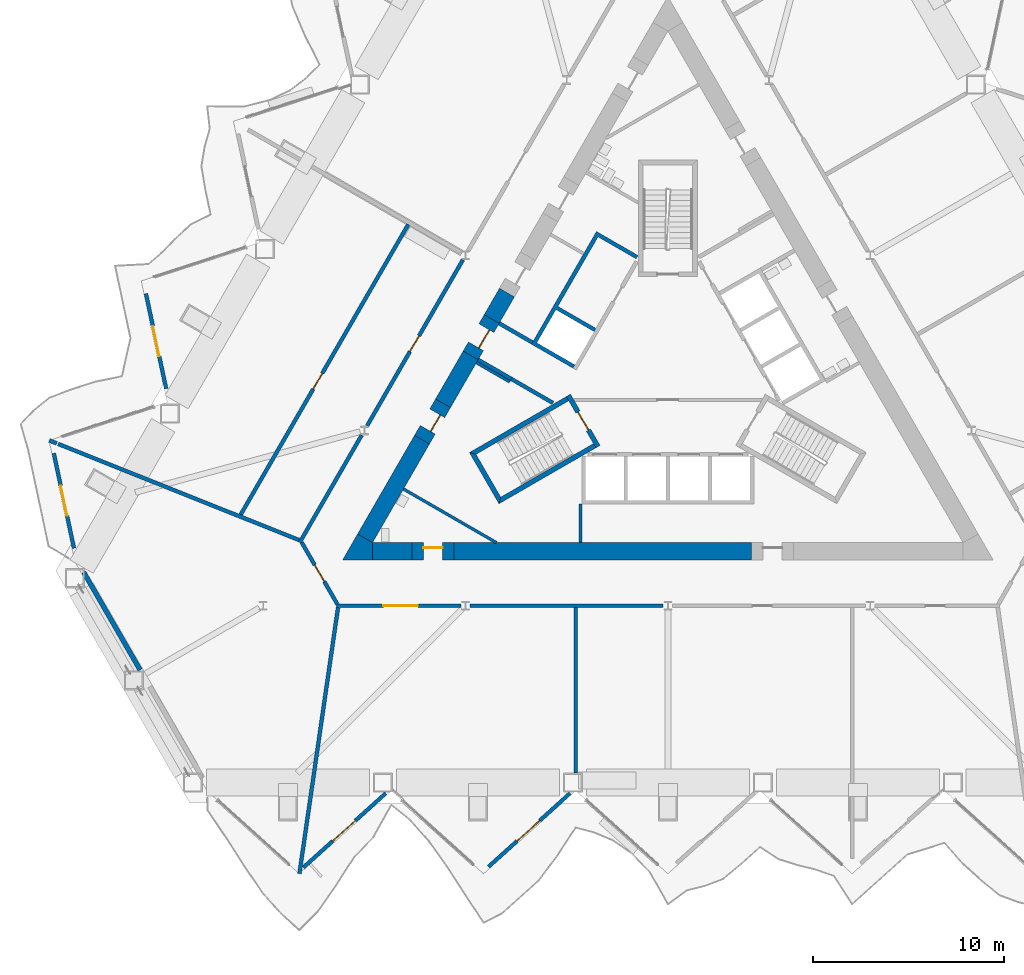
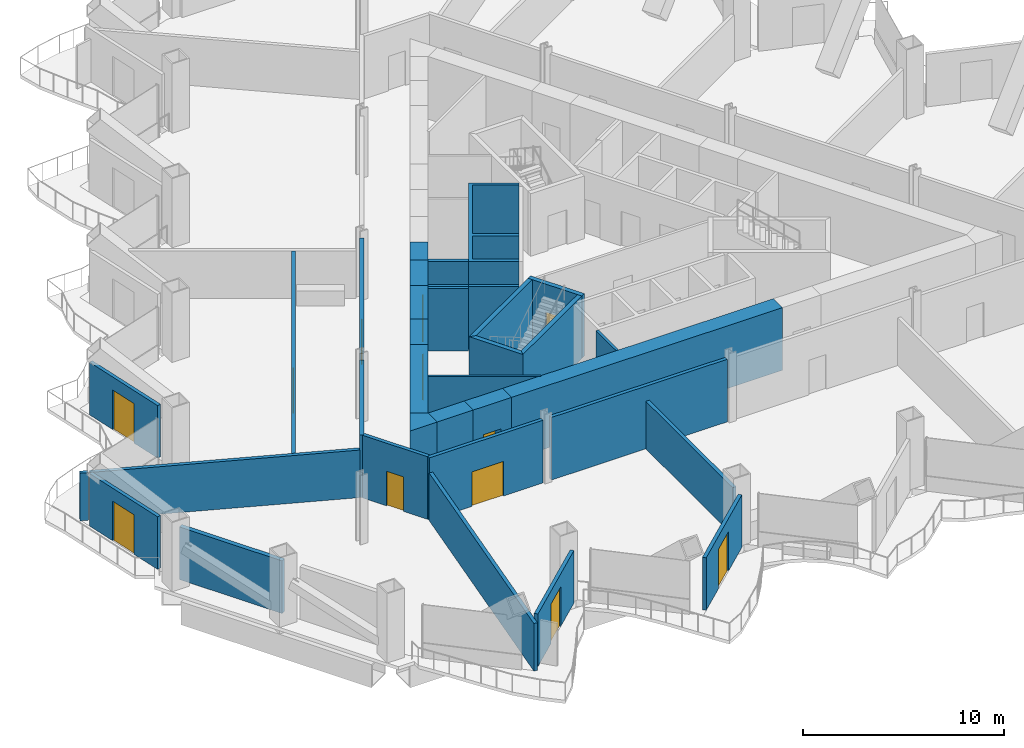
# One storey, part 9 of 22: 35 walls, 12 doors, 12 openings.
"""IFC4 building model written with IfcOpenShell, lengths in metres."""

from ifc_helpers import new_model, si_unit, direction, frame, frame_2d, origin, place, context, subcontext, project, spatial, polyline, rectangle, outline, extrude, material, layer, layer_set, type_object, element, fill, save


model = new_model("IFC4")

# Units and contexts
model_context = context("Model", 3, precision=1e-05, world=origin(), true_north=direction((0.0, 1.0)))
body_context = subcontext(model_context, "Body", "Model", "MODEL_VIEW")
ifc_project = project(units=[si_unit("LENGTHUNIT", "METRE"), si_unit("AREAUNIT", "SQUARE_METRE"), si_unit("VOLUMEUNIT", "CUBIC_METRE"), si_unit("PLANEANGLEUNIT", "RADIAN"), si_unit("MASSUNIT", "GRAM", prefix="KILO")], contexts=[model_context])

# Site, building, storey
site_placement = place(None, origin())
site = spatial("IfcSite", under=ifc_project, at=site_placement, CompositionType="ELEMENT")
building_placement = place(site_placement, origin())
building = spatial("IfcBuilding", under=site, at=building_placement, Name="Cormorant Prow Tower", CompositionType="ELEMENT")
storey_placement = place(building_placement, frame((0.0, 0.0, 30.0)))
storey = spatial("IfcBuildingStorey", under=building, at=storey_placement, Name="L05", CompositionType="ELEMENT", Elevation=30.0)

# Walls
ifc_material_1 = material(Name="Gypsum board partition")
ifc_layer_1 = layer(ifc_material_1, 0.14990234375)
ifc_layer_set_1 = layer_set([ifc_layer_1], Name="Gypsum board partition")
wall_type_1 = type_object("IfcWallType", Name="Core partition 150", PredefinedType="PARTITIONING", material=ifc_layer_set_1)
wall_1_placement = place(storey_placement, frame((-8.268310546875, -0.509033203125, 0.0), z_axis=(0.0, 0.0, 1.0), x_axis=(-0.866035824272, 0.499981950752, 0.0)))
element("IfcWall", 1, at=wall_1_placement, inside=storey, type_object=wall_type_1, Name="Service room partition", PredefinedType="PARTITIONING", context=body_context, shape_type="SweptSolid", body=[
    extrude(rectangle(XDim=2.0087890625, YDim=0.14990234375, at=frame_2d((1.00439453125, 0.0))), origin(), (0.0, 0.0, 1.0), 3.800048828125),
])
wall_2_placement = place(storey_placement, frame((-4.574951171875, -6.906005859375, 0.0), z_axis=(0.0, 0.0, 1.0), x_axis=(0.0, -1.0, 0.0)))
element("IfcWall", 2, at=wall_2_placement, inside=storey, type_object=wall_type_1, Name="Service room partition", PredefinedType="PARTITIONING", context=body_context, shape_type="SweptSolid", body=[
    extrude(rectangle(XDim=2.009033203125, YDim=0.14990234375, at=frame_2d((1.00439453125, 0.0))), origin(), (0.0, 0.0, 1.0), 3.800048828125),
])
wall_3_placement = place(storey_placement, frame((-13.822509765625, -6.111328125, 0.0), z_axis=(0.0, 0.0, 1.0), x_axis=(0.866026802741, -0.499997576928, 0.0)))
element("IfcWall", 3, at=wall_3_placement, inside=storey, type_object=wall_type_1, Name="Service room partition", PredefinedType="PARTITIONING", context=body_context, shape_type="SweptSolid", body=[
    extrude(rectangle(XDim=5.607421875, YDim=0.14990234375, at=frame_2d((2.8037109375, 0.0))), origin(), (0.0, 0.0, 1.0), 3.800048828125),
])
ifc_material_2 = material(Name="Concrete 8000 psi", Category="concrete")
ifc_layer_2 = layer(ifc_material_2, 0.89990234375)
ifc_layer_set_2 = layer_set([ifc_layer_2], Name="Concrete 8000 psi")
wall_type_2 = type_object("IfcWallType", Name="Core shear wall 900", PredefinedType="SHEAR", material=ifc_layer_set_2)
wall_4_placement = place(storey_placement, frame((-11.178955078125, -9.364990234375, 0.0), z_axis=(0.0, 0.0, 1.0), x_axis=(1.0, 0.0, 0.0)))
element("IfcWall", 4, at=wall_4_placement, inside=storey, type_object=wall_type_2, Name="Core wall", PredefinedType="SHEAR", context=body_context, shape_type="SweptSolid", body=[
    extrude(rectangle(XDim=15.549560546875, YDim=0.89990234375, at=frame_2d((7.77490234375, 0.0))), origin(), (0.0, 0.0, 1.0), 3.800048828125),
])
wall_5_placement = place(storey_placement, frame((-15.441162109375, -9.364990234375, 0.0), z_axis=(0.0, 0.0, 1.0), x_axis=(1.0, 0.0, 0.0)))
element("IfcWall", 5, at=wall_5_placement, inside=storey, type_object=wall_type_2, Name="Core wall", PredefinedType="SHEAR", context=body_context, shape_type="SweptSolid", body=[
    extrude(rectangle(XDim=2.062255859375, YDim=0.89990234375, at=frame_2d((1.03125, 0.0))), origin(), (0.0, 0.0, 1.0), 3.800048828125),
])
wall_6_placement = place(storey_placement, frame((-12.85498046875, -3.53564453125, 0.0), z_axis=(0.0, 0.0, 1.0), x_axis=(-0.499999419053, -0.866025739194, 0.0)))
element("IfcWall", 6, at=wall_6_placement, inside=storey, type_object=wall_type_2, Name="Core wall", PredefinedType="SHEAR", context=body_context, shape_type="SweptSolid", body=[
    extrude(rectangle(XDim=5.95166015625, YDim=0.89990234375, at=frame_2d((2.975830078125, 0.0))), origin(), (0.0, 0.0, 1.0), 3.800048828125),
])
wall_7_placement = place(storey_placement, frame((-10.310302734375, 0.8720703125, 0.0), z_axis=(0.0, 0.0, 1.0), x_axis=(-0.499946751862, -0.866056144429, 0.0)))
element("IfcWall", 7, at=wall_7_placement, inside=storey, type_object=wall_type_2, Name="Core wall", PredefinedType="SHEAR", context=body_context, shape_type="SweptSolid", body=[
    extrude(rectangle(XDim=2.889404296875, YDim=0.89990234375, at=frame_2d((1.44482421875, 0.0))), origin(), (0.0, 0.0, 1.0), 3.800048828125),
])
wall_8_placement = place(storey_placement, frame((-8.413330078125, 4.157470703125, 0.0), z_axis=(0.0, 0.0, 1.0), x_axis=(-0.499961121316, -0.86604784924, 0.0)))
element("IfcWall", 8, at=wall_8_placement, inside=storey, type_object=wall_type_2, Name="Core wall", PredefinedType="SHEAR", context=body_context, shape_type="SweptSolid", body=[
    extrude(rectangle(XDim=1.593994140625, YDim=0.89990234375, at=frame_2d((0.796875, 0.0))), origin(), (0.0, 0.0, 1.0), 3.800048828125),
])
wall_9_placement = place(storey_placement, origin())
element("IfcWall", 9, at=wall_9_placement, inside=storey, type_object=wall_type_2, Name="Core wall corner", PredefinedType="SHEAR", context=body_context, shape_type="SweptSolid", body=[
    extrude(outline(polyline([(-16.220703125, -8.465087890625), (-15.441162109375, -8.9150390625), (-15.441162109375, -9.81494140625), (-17.0, -9.81494140625), (-16.220703125, -8.465087890625)])), origin(), (0.0, 0.0, 1.0), 3.800048828125),
])

# Wall, opening, door
wall_10_placement = place(storey_placement, frame((-13.37890625, -9.364990234375, 0.0), z_axis=(0.0, 0.0, 1.0), x_axis=(1.0, 0.0, 0.0)))
wall_10 = element("IfcWall", 10, at=wall_10_placement, inside=storey, type_object=wall_type_2, Name="Core wall door panel", PredefinedType="SHEAR", context=body_context, shape_type="SweptSolid", body=[
    extrude(rectangle(XDim=2.199951171875, YDim=0.89990234375, at=frame_2d((1.10009765625, 0.0))), origin(), (0.0, 0.0, 1.0), 3.800048828125),
])
opening_1_placement = place(wall_10_placement, frame((0.60009765625, 0.0, 0.0)))
opening_1 = element("IfcOpeningElement", 11, at=opening_1_placement, cuts=wall_10, Name="Opening L05-C14", PredefinedType="OPENING", context=body_context, shape_type="SweptSolid", body=[
    extrude(rectangle(XDim=1.0, YDim=2.10009765625, at=frame_2d((0.5, 1.050048828125))), frame((0.0, 0.4599609375, 0.0), z_axis=(0.0, -1.0, 0.0), x_axis=(1.0, 0.0, 0.0)), (0.0, 0.0, 1.0), 0.919921875),
])
ifc_material_3 = material(Name="Painted steel", Category="steel")
door_type_1 = type_object("IfcDoorType", Name="Service door 1000x2100", OperationType="NOTDEFINED", PredefinedType="DOOR", material=ifc_material_3)
door_1_placement = place(opening_1_placement, origin())
door_1 = element("IfcDoor", 12, at=door_1_placement, inside=storey, type_object=door_type_1, Name="Core door, Accessible WC L05", OperationType="SINGLE_SWING_RIGHT", OverallHeight=2.10009765625, OverallWidth=1.0, PredefinedType="DOOR", context=body_context, shape_type="SweptSolid", body=[
    extrude(rectangle(XDim=1.0, YDim=2.10009765625, at=frame_2d((0.5, 1.050048828125))), frame((0.0, 0.205078125, 0.0), z_axis=(0.0, -1.0, 0.0), x_axis=(1.0, 0.0, 0.0)), (0.0, 0.0, 1.0), 0.050048828125),
])
fill(opening_1, door_1)

wall_11_placement = place(storey_placement, frame((-11.7548828125, -1.63037109375, 0.0), z_axis=(0.0, 0.0, 1.0), x_axis=(-0.50002983664, -0.866008176907, 0.0)))
wall_11 = element("IfcWall", 13, at=wall_11_placement, inside=storey, type_object=wall_type_2, Name="Core wall door panel", PredefinedType="SHEAR", context=body_context, shape_type="SweptSolid", body=[
    extrude(rectangle(XDim=2.199951171875, YDim=0.89990234375, at=frame_2d((1.10009765625, 0.0))), origin(), (0.0, 0.0, 1.0), 3.800048828125),
])
opening_2_placement = place(wall_11_placement, frame((0.60009765625, 0.0, 0.0)))
opening_2 = element("IfcOpeningElement", 14, at=opening_2_placement, cuts=wall_11, Name="Opening L05-C16", PredefinedType="OPENING", context=body_context, shape_type="SweptSolid", body=[
    extrude(rectangle(XDim=1.0, YDim=2.10009765625, at=frame_2d((0.5, 1.050048828125))), frame((0.0, 0.4599609375, 0.0), z_axis=(0.0, -1.0, 0.0), x_axis=(1.0, 0.0, 0.0)), (0.0, 0.0, 1.0), 0.919921875),
])
door_2_placement = place(opening_2_placement, origin())
door_2 = element("IfcDoor", 15, at=door_2_placement, inside=storey, type_object=door_type_1, Name="Core door, Linen store", OperationType="SINGLE_SWING_RIGHT", OverallHeight=2.10009765625, OverallWidth=1.0, PredefinedType="DOOR", context=body_context, shape_type="SweptSolid", body=[
    extrude(rectangle(XDim=1.0, YDim=2.10009765625, at=frame_2d((0.5, 1.050048828125))), frame((0.0, 0.205078125, 0.0), z_axis=(0.0, -1.0, 0.0), x_axis=(1.0, 0.0, 0.0)), (0.0, 0.0, 1.0), 0.050048828125),
])
fill(opening_2, door_2)

wall_12_placement = place(storey_placement, frame((-9.210205078125, 2.777099609375, 0.0), z_axis=(0.0, 0.0, 1.0), x_axis=(-0.500077893725, -0.86598042715, 0.0)))
wall_12 = element("IfcWall", 16, at=wall_12_placement, inside=storey, type_object=wall_type_2, Name="Core wall door panel", PredefinedType="SHEAR", context=body_context, shape_type="SweptSolid", body=[
    extrude(rectangle(XDim=2.199951171875, YDim=0.89990234375, at=frame_2d((1.10009765625, 0.0))), origin(), (0.0, 0.0, 1.0), 3.800048828125),
])
opening_3_placement = place(wall_12_placement, frame((0.550048828125, 0.0, 0.0)))
opening_3 = element("IfcOpeningElement", 17, at=opening_3_placement, cuts=wall_12, Name="Opening L05-C22", PredefinedType="OPENING", context=body_context, shape_type="SweptSolid", body=[
    extrude(rectangle(XDim=1.10009765625, YDim=2.10009765625, at=frame_2d((0.550048828125, 1.050048828125))), frame((0.0, 0.4599609375, 0.0), z_axis=(0.0, -1.0, 0.0), x_axis=(1.0, 0.0, 0.0)), (0.0, 0.0, 1.0), 0.919921875),
])
ifc_material_4 = material(Name="Painted steel", Category="steel")
door_type_2 = type_object("IfcDoorType", Name="Core door 1100x2100", OperationType="NOTDEFINED", PredefinedType="DOOR", material=ifc_material_4)
door_3_placement = place(opening_3_placement, origin())
door_3 = element("IfcDoor", 18, at=door_3_placement, inside=storey, type_object=door_type_2, Name="Core door, lift lobby", OperationType="SINGLE_SWING_RIGHT", OverallHeight=2.10009765625, OverallWidth=1.10009765625, PredefinedType="DOOR", context=body_context, shape_type="SweptSolid", body=[
    extrude(rectangle(XDim=1.10009765625, YDim=2.10009765625, at=frame_2d((0.550048828125, 1.050048828125))), frame((0.0, 0.205078125, 0.0), z_axis=(0.0, -1.0, 0.0), x_axis=(1.0, 0.0, 0.0)), (0.0, 0.0, 1.0), 0.050048828125),
])
fill(opening_3, door_3)

# Wall
ifc_material_5 = material(Name="Gypsum board corridor wall")
ifc_layer_3 = layer(ifc_material_5, 0.199951171875)
ifc_layer_set_3 = layer_set([ifc_layer_3], Name="Gypsum board corridor wall")
wall_type_3 = type_object("IfcWallType", Name="Corridor wall 200", PredefinedType="PARTITIONING", material=ifc_layer_set_3)
wall_13_placement = place(storey_placement, frame((-10.336181640625, -12.215087890625, 0.0), z_axis=(0.0, 0.0, 1.0), x_axis=(1.0, 0.0, 0.0)))
element("IfcWall", 19, at=wall_13_placement, inside=storey, type_object=wall_type_3, Name="Corridor wall", PredefinedType="PARTITIONING", context=body_context, shape_type="SweptSolid", body=[
    extrude(rectangle(XDim=10.093994140625, YDim=0.199951171875, at=frame_2d((5.046875, 0.0))), origin(), (0.0, 0.0, 1.0), 3.800048828125),
])

# Wall, opening, door
wall_14_placement = place(storey_placement, frame((-15.727783203125, -2.811279296875, 0.0), z_axis=(0.0, 0.0, 1.0), x_axis=(0.49999175339, 0.866030164915, 0.0)))
wall_14 = element("IfcWall", 20, at=wall_14_placement, inside=storey, type_object=wall_type_3, Name="Corridor wall", PredefinedType="PARTITIONING", context=body_context, shape_type="SweptSolid", body=[
    extrude(rectangle(XDim=10.018798828125, YDim=0.199951171875, at=frame_2d((5.00927734375, 0.0))), origin(), (0.0, 0.0, 1.0), 3.800048828125),
])
opening_4_placement = place(wall_14_placement, frame((4.484130859375, 0.0, 0.0)))
opening_4 = element("IfcOpeningElement", 21, at=opening_4_placement, cuts=wall_14, Name="Opening L05-F12", PredefinedType="OPENING", context=body_context, shape_type="SweptSolid", body=[
    extrude(rectangle(XDim=0.949951171875, YDim=2.10009765625, at=frame_2d((0.47509765625, 1.050048828125))), frame((0.0, 0.10986328125, 0.0), z_axis=(0.0, -1.0, 0.0), x_axis=(1.0, 0.0, 0.0)), (0.0, 0.0, 1.0), 0.219970703125),
])
ifc_material_6 = material(Name="Timber door leaf", Category="wood")
door_type_3 = type_object("IfcDoorType", Name="Store door 950x2100", OperationType="NOTDEFINED", PredefinedType="DOOR", material=ifc_material_6)
door_4_placement = place(opening_4_placement, origin())
door_4 = element("IfcDoor", 22, at=door_4_placement, inside=storey, type_object=door_type_3, Name="Tea point and pantry door", OperationType="SINGLE_SWING_RIGHT", OverallHeight=2.10009765625, OverallWidth=0.949951171875, PredefinedType="DOOR", context=body_context, shape_type="SweptSolid", body=[
    extrude(rectangle(XDim=0.949951171875, YDim=2.10009765625, at=frame_2d((0.47509765625, 1.050048828125))), frame((0.0, 0.02490234375, 0.0), z_axis=(0.0, -1.0, 0.0), x_axis=(1.0, 0.0, 0.0)), (0.0, 0.0, 1.0), 0.050048828125),
])
fill(opening_4, door_4)

wall_15_placement = place(storey_placement, frame((-17.330810546875, -12.215087890625, 0.0), z_axis=(0.0, 0.0, 1.0), x_axis=(1.0, 0.0, 0.0)))
wall_15 = element("IfcWall", 23, at=wall_15_placement, inside=storey, type_object=wall_type_3, Name="Corridor wall", PredefinedType="PARTITIONING", context=body_context, shape_type="SweptSolid", body=[
    extrude(rectangle(XDim=6.510009765625, YDim=0.199951171875, at=frame_2d((3.2548828125, 0.0))), origin(), (0.0, 0.0, 1.0), 3.800048828125),
])
opening_5_placement = place(wall_15_placement, frame((2.455322265625, 0.0, 0.0)))
opening_5 = element("IfcOpeningElement", 24, at=opening_5_placement, cuts=wall_15, Name="Opening L05-F01", PredefinedType="OPENING", context=body_context, shape_type="SweptSolid", body=[
    extrude(rectangle(XDim=1.800048828125, YDim=2.10009765625, at=frame_2d((0.89990234375, 1.050048828125))), frame((0.0, 0.10986328125, 0.0), z_axis=(0.0, -1.0, 0.0), x_axis=(1.0, 0.0, 0.0)), (0.0, 0.0, 1.0), 0.219970703125),
])
ifc_material_7 = material(Name="Timber door leaf", Category="wood")
door_type_4 = type_object("IfcDoorType", Name="Double door 1800x2100", OperationType="DOUBLE_DOOR_SINGLE_SWING", PredefinedType="DOOR", material=ifc_material_7)
door_5_placement = place(opening_5_placement, origin())
door_5 = element("IfcDoor", 25, at=door_5_placement, inside=storey, type_object=door_type_4, Name="Trading room door", OperationType="DOUBLE_DOOR_SINGLE_SWING", OverallHeight=2.10009765625, OverallWidth=1.800048828125, PredefinedType="DOOR", context=body_context, shape_type="SweptSolid", body=[
    extrude(rectangle(XDim=1.800048828125, YDim=2.10009765625, at=frame_2d((0.89990234375, 1.050048828125))), frame((0.0, 0.02490234375, 0.0), z_axis=(0.0, -1.0, 0.0), x_axis=(1.0, 0.0, 0.0)), (0.0, 0.0, 1.0), 0.050048828125),
])
fill(opening_5, door_5)

# Wall
wall_16_placement = place(storey_placement, frame((-19.243896484375, -8.901611328125, 0.0), z_axis=(0.0, 0.0, 1.0), x_axis=(0.499984737558, 0.86603421538, 0.0)))
element("IfcWall", 26, at=wall_16_placement, inside=storey, type_object=wall_type_3, Name="Corridor wall", PredefinedType="PARTITIONING", context=body_context, shape_type="SweptSolid", body=[
    extrude(rectangle(XDim=6.472900390625, YDim=0.199951171875, at=frame_2d((3.236328125, 0.0))), origin(), (0.0, 0.0, 1.0), 3.800048828125),
])

# Wall, opening, door
wall_17_placement = place(storey_placement, frame((-19.143798828125, -8.901611328125, 0.0), z_axis=(0.0, 0.0, 1.0), x_axis=(0.499958791762, -0.866049194065, 0.0)))
wall_17 = element("IfcWall", 27, at=wall_17_placement, inside=storey, type_object=wall_type_3, Name="Corridor wall", PredefinedType="PARTITIONING", context=body_context, shape_type="SweptSolid", body=[
    extrude(rectangle(XDim=3.725830078125, YDim=0.199951171875, at=frame_2d((1.86279296875, 0.0))), origin(), (0.0, 0.0, 1.0), 3.800048828125),
])
opening_6_placement = place(wall_17_placement, frame((1.363037109375, 0.0, 0.0)))
opening_6 = element("IfcOpeningElement", 28, at=opening_6_placement, cuts=wall_17, Name="Opening L05-F14", PredefinedType="OPENING", context=body_context, shape_type="SweptSolid", body=[
    extrude(rectangle(XDim=1.0, YDim=2.10009765625, at=frame_2d((0.5, 1.050048828125))), frame((0.0, 0.10986328125, 0.0), z_axis=(0.0, -1.0, 0.0), x_axis=(1.0, 0.0, 0.0)), (0.0, 0.0, 1.0), 0.219970703125),
])
ifc_material_8 = material(Name="Timber door leaf", Category="wood")
door_type_5 = type_object("IfcDoorType", Name="Office door 1000x2100", OperationType="NOTDEFINED", PredefinedType="DOOR", material=ifc_material_8)
door_6_placement = place(opening_6_placement, origin())
door_6 = element("IfcDoor", 29, at=door_6_placement, inside=storey, type_object=door_type_5, Name="Tenant suite door", OperationType="SINGLE_SWING_LEFT", OverallHeight=2.10009765625, OverallWidth=1.0, PredefinedType="DOOR", context=body_context, shape_type="SweptSolid", body=[
    extrude(rectangle(XDim=1.0, YDim=2.10009765625, at=frame_2d((0.5, 1.050048828125))), frame((0.0, 0.02490234375, 0.0), z_axis=(0.0, -1.0, 0.0), x_axis=(1.0, 0.0, 0.0)), (0.0, 0.0, 1.0), 0.050048828125),
])
fill(opening_6, door_6)

ifc_material_9 = material(Name="Gypsum board demising wall")
ifc_layer_4 = layer(ifc_material_9, 0.199951171875)
ifc_layer_set_4 = layer_set([ifc_layer_4], Name="Gypsum board demising wall")
wall_type_4 = type_object("IfcWallType", Name="Demising wall 200", PredefinedType="PARTITIONING", material=ifc_layer_set_4)
wall_18_placement = place(storey_placement, frame((-22.3349609375, -7.455322265625, 0.0), z_axis=(0.0, 0.0, 1.0), x_axis=(0.499997414609, 0.866026896456, 0.0)))
wall_18 = element("IfcWall", 30, at=wall_18_placement, inside=storey, type_object=wall_type_4, Name="Demising wall", PredefinedType="PARTITIONING", context=body_context, shape_type="SweptSolid", body=[
    extrude(rectangle(XDim=17.52392578125, YDim=0.199951171875, at=frame_2d((8.761962890625, 0.0))), origin(), (0.0, 0.0, 1.0), 2.88525390625),
])
opening_7_placement = place(wall_18_placement, frame((7.583740234375, 0.0, 0.0)))
opening_7 = element("IfcOpeningElement", 31, at=opening_7_placement, cuts=wall_18, Name="Opening L05-F13", PredefinedType="OPENING", context=body_context, shape_type="SweptSolid", body=[
    extrude(rectangle(XDim=0.949951171875, YDim=2.10009765625, at=frame_2d((0.47509765625, 1.050048828125))), frame((0.0, 0.10986328125, 0.0), z_axis=(0.0, -1.0, 0.0), x_axis=(1.0, 0.0, 0.0)), (0.0, 0.0, 1.0), 0.219970703125),
])
door_7_placement = place(opening_7_placement, origin())
door_7 = element("IfcDoor", 32, at=door_7_placement, inside=storey, type_object=door_type_3, Name="Print and copy room door", OperationType="SINGLE_SWING_RIGHT", OverallHeight=2.10009765625, OverallWidth=0.949951171875, PredefinedType="DOOR", context=body_context, shape_type="SweptSolid", body=[
    extrude(rectangle(XDim=0.949951171875, YDim=2.10009765625, at=frame_2d((0.47509765625, 1.050048828125))), frame((0.0, 0.02490234375, 0.0), z_axis=(0.0, -1.0, 0.0), x_axis=(1.0, 0.0, 0.0)), (0.0, 0.0, 1.0), 0.050048828125),
])
fill(opening_7, door_7)

# Walls
wall_19_placement = place(storey_placement, frame((-19.261962890625, -26.218994140625, 0.0), z_axis=(0.0, 0.0, 1.0), x_axis=(0.143525263071, 0.989646653539, 0.0)))
element("IfcWall", 33, at=wall_19_placement, inside=storey, type_object=wall_type_4, Name="Demising wall", PredefinedType="PARTITIONING", context=body_context, shape_type="SweptSolid", body=[
    extrude(rectangle(XDim=14.050537109375, YDim=0.199951171875, at=frame_2d((7.025390625, 0.0))), origin(), (0.0, 0.0, 1.0), 2.88525390625),
])
wall_20_placement = place(storey_placement, frame((-31.87939453125, -3.75439453125, 0.0), z_axis=(0.0, 0.0, 1.0), x_axis=(0.928821541656, -0.370527385973, 0.0)))
element("IfcWall", 34, at=wall_20_placement, inside=storey, type_object=wall_type_4, Name="Demising wall", PredefinedType="PARTITIONING", context=body_context, shape_type="SweptSolid", body=[
    extrude(rectangle(XDim=13.5576171875, YDim=0.199951171875, at=frame_2d((6.77880859375, 0.0))), origin(), (0.0, 0.0, 1.0), 2.88525390625),
])
wall_21_placement = place(storey_placement, frame((-4.817626953125, -20.949951171875, 0.0), z_axis=(0.0, 0.0, 1.0), x_axis=(0.0, 1.0, 0.0)))
element("IfcWall", 35, at=wall_21_placement, inside=storey, type_object=wall_type_4, Name="Demising wall", PredefinedType="PARTITIONING", context=body_context, shape_type="SweptSolid", body=[
    extrude(rectangle(XDim=8.635009765625, YDim=0.199951171875, at=frame_2d((4.3173828125, 0.0))), origin(), (0.0, 0.0, 1.0), 2.88525390625),
])
wall_22_placement = place(storey_placement, frame((-32.337158203125, -3.57177734375, 0.0), z_axis=(0.0, 0.0, 1.0), x_axis=(0.928757356094, -0.370688243003, 0.0)))
element("IfcWall", 36, at=wall_22_placement, inside=storey, type_object=wall_type_4, Name="Demising wall", PredefinedType="PARTITIONING", context=body_context, shape_type="SweptSolid", body=[
    extrude(rectangle(XDim=0.41943359375, YDim=0.199951171875, at=frame_2d((0.209716796875, 0.0))), origin(), (0.0, 0.0, 1.0), 2.88525390625),
])
ifc_material_10 = material(Name="Concrete 8000 psi", Category="concrete")
ifc_layer_5 = layer(ifc_material_10, 0.199951171875)
ifc_layer_set_5 = layer_set([ifc_layer_5], Name="Concrete 8000 psi")
wall_type_5 = type_object("IfcWallType", Name="Lift shaft wall 200", PredefinedType="SHEAR", material=ifc_layer_set_5)
wall_23_placement = place(storey_placement, origin())
element("IfcWall", 37, at=wall_23_placement, inside=storey, type_object=wall_type_5, Name="Lift shaft walls, WNW block", PredefinedType="SHEAR", context=body_context, shape_type="SweptSolid", body=[
    extrude(outline(polyline([(-6.060546875, -1.697021484375), (-8.230712890625, -0.444091796875), (-8.130859375, -0.27099609375), (-5.96044921875, -1.52392578125), (-6.060546875, -1.697021484375)])), origin(), (0.0, 0.0, 1.0), 3.800048828125),
])
wall_24_placement = place(storey_placement, origin())
element("IfcWall", 38, at=wall_24_placement, inside=storey, type_object=wall_type_5, Name="Lift shaft walls, WNW block", PredefinedType="SHEAR", context=body_context, shape_type="SweptSolid", body=[
    extrude(outline(polyline([(-4.96044921875, 0.2080078125), (-7.130859375, 1.461181640625), (-3.730712890625, 7.35009765625), (-1.560546875, 6.09716796875), (-1.660400390625, 5.923828125), (-3.65234375, 7.073974609375), (-5.75244140625, 3.4365234375), (-3.760498046875, 2.28662109375), (-3.860595703125, 2.11328125), (-5.852294921875, 3.263427734375), (-6.852294921875, 1.53125), (-4.860595703125, 0.38134765625), (-4.96044921875, 0.2080078125)])), origin(), (0.0, 0.0, 1.0), 3.800048828125),
])
wall_25_placement = place(storey_placement, frame((-7.080810546875, 1.547607421875, 0.0), z_axis=(0.0, 0.0, 1.0), x_axis=(-0.865983199114, 0.50007309351, 0.0)))
element("IfcWall", 39, at=wall_25_placement, inside=storey, type_object=wall_type_5, Name="Lobby passage wall", PredefinedType="SHEAR", context=body_context, shape_type="SweptSolid", body=[
    extrude(rectangle(XDim=2.009033203125, YDim=0.199951171875, at=frame_2d((1.00439453125, 0.0))), origin(), (0.0, 0.0, 1.0), 3.800048828125),
])
wall_26_placement = place(storey_placement, frame((-8.180908203125, -0.357421875, 0.0), z_axis=(0.0, 0.0, 1.0), x_axis=(-0.866035824272, 0.499981950752, 0.0)))
element("IfcWall", 40, at=wall_26_placement, inside=storey, type_object=wall_type_5, Name="Lobby passage wall", PredefinedType="SHEAR", context=body_context, shape_type="SweptSolid", body=[
    extrude(rectangle(XDim=2.0087890625, YDim=0.199951171875, at=frame_2d((1.00439453125, 0.0))), origin(), (0.0, 0.0, 1.0), 3.800048828125),
])
ifc_material_11 = material(Name="Concrete 8000 psi", Category="concrete")
ifc_layer_6 = layer(ifc_material_11, 0.25)
ifc_layer_set_6 = layer_set([ifc_layer_6], Name="Concrete 8000 psi")
wall_type_6 = type_object("IfcWallType", Name="Stair wall 250", PredefinedType="SHEAR", material=ifc_layer_set_6)
wall_27_placement = place(storey_placement, origin())
element("IfcWall", 41, at=wall_27_placement, inside=storey, type_object=wall_type_6, Name="Stair ST1 enclosure wall (flank)", PredefinedType="SHEAR", context=body_context, shape_type="SweptSolid", body=[
    extrude(outline(polyline([(-5.30712890625, -1.28125), (-10.37353515625, -4.206298828125), (-10.031982421875, -4.2978515625), (-5.18212890625, -1.497802734375), (-5.30712890625, -1.28125)])), origin(), (0.0, 0.0, 1.0), 3.800048828125),
])
wall_28_placement = place(storey_placement, origin())
element("IfcWall", 42, at=wall_28_placement, inside=storey, type_object=wall_type_6, Name="Stair ST1 enclosure wall (end)", PredefinedType="SHEAR", context=body_context, shape_type="SweptSolid", body=[
    extrude(outline(polyline([(-10.37353515625, -4.206298828125), (-8.82958984375, -6.880615234375), (-8.738037109375, -6.5390625), (-10.031982421875, -4.2978515625), (-10.37353515625, -4.206298828125)])), origin(), (0.0, 0.0, 1.0), 3.800048828125),
])
wall_29_placement = place(storey_placement, origin())
element("IfcWall", 43, at=wall_29_placement, inside=storey, type_object=wall_type_6, Name="Stair ST1 enclosure wall (flank)", PredefinedType="SHEAR", context=body_context, shape_type="SweptSolid", body=[
    extrude(outline(polyline([(-8.738037109375, -6.5390625), (-8.82958984375, -6.880615234375), (-3.76318359375, -3.95556640625), (-3.88818359375, -3.739013671875), (-8.738037109375, -6.5390625)])), origin(), (0.0, 0.0, 1.0), 3.800048828125),
])

# Wall, opening, door
wall_30_placement = place(storey_placement, frame((-5.198974609375, -1.21875, 0.0), z_axis=(0.0, 0.0, 1.0), x_axis=(0.499982516597, -0.866035497597, 0.0)))
wall_30 = element("IfcWall", 44, at=wall_30_placement, inside=storey, type_object=wall_type_6, Name="Stair ST1 door wall", PredefinedType="SHEAR", context=body_context, shape_type="SweptSolid", body=[
    extrude(rectangle(XDim=3.087890625, YDim=0.25, at=frame_2d((1.5439453125, 0.0))), origin(), (0.0, 0.0, 1.0), 3.800048828125),
])
opening_8_placement = place(wall_30_placement, frame((0.993896484375, 0.0, 0.0)))
opening_8 = element("IfcOpeningElement", 45, at=opening_8_placement, cuts=wall_30, Name="Opening L05-C11", PredefinedType="OPENING", context=body_context, shape_type="SweptSolid", body=[
    extrude(rectangle(XDim=1.10009765625, YDim=2.10009765625, at=frame_2d((0.550048828125, 1.050048828125))), frame((0.0, 0.135009765625, 0.0), z_axis=(0.0, -1.0, 0.0), x_axis=(1.0, 0.0, 0.0)), (0.0, 0.0, 1.0), 0.27001953125),
])
ifc_material_12 = material(Name="Painted steel", Category="steel")
door_type_6 = type_object("IfcDoorType", Name="Stair door 1100x2100", OperationType="NOTDEFINED", PredefinedType="DOOR", material=ifc_material_12)
door_8_placement = place(opening_8_placement, origin())
door_8 = element("IfcDoor", 46, at=door_8_placement, inside=storey, type_object=door_type_6, Name="Stair ST1 door", OperationType="SINGLE_SWING_LEFT", OverallHeight=2.10009765625, OverallWidth=1.10009765625, PredefinedType="DOOR", context=body_context, shape_type="SweptSolid", body=[
    extrude(rectangle(XDim=1.10009765625, YDim=2.10009765625, at=frame_2d((0.550048828125, 1.050048828125))), frame((0.0, 0.02490234375, 0.0), z_axis=(0.0, -1.0, 0.0), x_axis=(1.0, 0.0, 0.0)), (0.0, 0.0, 1.0), 0.050048828125),
])
fill(opening_8, door_8)

# Wall
ifc_material_13 = material(Name="Terracotta", Category="masonry")
ifc_layer_7 = layer(ifc_material_13, 0.25)
ifc_layer_set_7 = layer_set([ifc_layer_7], Name="Terracotta")
wall_type_7 = type_object("IfcWallType", Name="Terracotta bay wall 250", PredefinedType="SOLIDWALL", material=ifc_layer_set_7)
wall_31_placement = place(storey_placement, frame((-30.540283203125, -10.462646484375, 0.0), z_axis=(0.0, 0.0, 1.0), x_axis=(0.500010498135, -0.866019342599, 0.0)))
element("IfcWall", 47, at=wall_31_placement, inside=storey, type_object=wall_type_7, Name="Terracotta bay wall WSW00", PredefinedType="SOLIDWALL", context=body_context, shape_type="SweptSolid", body=[
    extrude(rectangle(XDim=5.893798828125, YDim=0.25, at=frame_2d((2.94677734375, 0.0))), origin(), (0.0, 0.0, 1.0), 3.18896484375),
])

# Wall, opening, door
ifc_material_14 = material(Name="Terracotta", Category="masonry")
ifc_layer_8 = layer(ifc_material_14, 0.199951171875)
ifc_layer_set_8 = layer_set([ifc_layer_8], Name="Terracotta")
wall_type_8 = type_object("IfcWallType", Name="Terracotta jamb wall 200", PredefinedType="SOLIDWALL", material=ifc_layer_set_8)
wall_32_placement = place(storey_placement, frame((-19.0517578125, -25.89501953125, 0.0), z_axis=(0.0, 0.0, 1.0), x_axis=(0.743145322323, 0.669130054556, 0.0)))
wall_32 = element("IfcWall", 48, at=wall_32_placement, inside=storey, type_object=wall_type_8, Name="Terracotta jamb wall S01", PredefinedType="SOLIDWALL", context=body_context, shape_type="SweptSolid", body=[
    extrude(rectangle(XDim=5.792236328125, YDim=0.199951171875, at=frame_2d((2.89599609375, 0.0))), origin(), (0.0, 0.0, 1.0), 3.18896484375),
])
opening_9_placement = place(wall_32_placement, frame((2.057373046875, 0.0, 0.0)))
opening_9 = element("IfcOpeningElement", 49, at=opening_9_placement, cuts=wall_32, Name="Opening ED05.01", PredefinedType="OPENING", context=body_context, shape_type="SweptSolid", body=[
    extrude(rectangle(XDim=1.60009765625, YDim=2.39990234375, at=frame_2d((0.800048828125, 1.199951171875))), frame((0.0, 0.10986328125, 0.0), z_axis=(0.0, -1.0, 0.0), x_axis=(1.0, 0.0, 0.0)), (0.0, 0.0, 1.0), 0.219970703125),
])
ifc_material_15 = material(Name="Aluminium 6063-T6", Category="aluminium")
door_type_7 = type_object("IfcDoorType", Name="Balcony door 1600x2400", OperationType="DOUBLE_DOOR_SINGLE_SWING", PredefinedType="DOOR", material=ifc_material_15)
door_9_placement = place(opening_9_placement, origin())
door_9 = element("IfcDoor", 50, at=door_9_placement, inside=storey, type_object=door_type_7, Name="Balcony door S01 ED05.01", OperationType="DOUBLE_DOOR_SINGLE_SWING", OverallHeight=2.39990234375, OverallWidth=1.60009765625, PredefinedType="DOOR", context=body_context, shape_type="SweptSolid", body=[
    extrude(rectangle(XDim=1.60009765625, YDim=2.39990234375, at=frame_2d((0.800048828125, 1.199951171875))), frame((0.0, 0.02490234375, 0.0), z_axis=(0.0, -1.0, 0.0), x_axis=(1.0, 0.0, 0.0)), (0.0, 0.0, 1.0), 0.050048828125),
])
fill(opening_9, door_9)

wall_33_placement = place(storey_placement, frame((-9.378662109375, -25.86083984375, 0.0), z_axis=(0.0, 0.0, 1.0), x_axis=(0.743135535271, 0.669140924034, 0.0)))
wall_33 = element("IfcWall", 51, at=wall_33_placement, inside=storey, type_object=wall_type_8, Name="Terracotta jamb wall S03", PredefinedType="SOLIDWALL", context=body_context, shape_type="SweptSolid", body=[
    extrude(rectangle(XDim=5.740966796875, YDim=0.199951171875, at=frame_2d((2.87060546875, 0.0))), origin(), (0.0, 0.0, 1.0), 3.18896484375),
])
opening_10_placement = place(wall_33_placement, frame((2.006103515625, 0.0, 0.0)))
opening_10 = element("IfcOpeningElement", 52, at=opening_10_placement, cuts=wall_33, Name="Opening ED05.02", PredefinedType="OPENING", context=body_context, shape_type="SweptSolid", body=[
    extrude(rectangle(XDim=1.60009765625, YDim=2.39990234375, at=frame_2d((0.800048828125, 1.199951171875))), frame((0.0, 0.10986328125, 0.0), z_axis=(0.0, -1.0, 0.0), x_axis=(1.0, 0.0, 0.0)), (0.0, 0.0, 1.0), 0.219970703125),
])
door_10_placement = place(opening_10_placement, origin())
door_10 = element("IfcDoor", 53, at=door_10_placement, inside=storey, type_object=door_type_7, Name="Balcony door S03 ED05.02", OperationType="DOUBLE_DOOR_SINGLE_SWING", OverallHeight=2.39990234375, OverallWidth=1.60009765625, PredefinedType="DOOR", context=body_context, shape_type="SweptSolid", body=[
    extrude(rectangle(XDim=1.60009765625, YDim=2.39990234375, at=frame_2d((0.800048828125, 1.199951171875))), frame((0.0, 0.02490234375, 0.0), z_axis=(0.0, -1.0, 0.0), x_axis=(1.0, 0.0, 0.0)), (0.0, 0.0, 1.0), 0.050048828125),
])
fill(opening_10, door_10)

wall_34_placement = place(storey_placement, frame((-27.286376953125, 4.10205078125, 0.0), z_axis=(0.0, 0.0, 1.0), x_axis=(0.207949057422, -0.978139657471, 0.0)))
wall_34 = element("IfcWall", 54, at=wall_34_placement, inside=storey, type_object=wall_type_8, Name="Terracotta jamb wall WNW07", PredefinedType="SOLIDWALL", context=body_context, shape_type="SweptSolid", body=[
    extrude(rectangle(XDim=5.07666015625, YDim=0.199951171875, at=frame_2d((2.538330078125, 0.0))), origin(), (0.0, 0.0, 1.0), 3.18896484375),
])
opening_11_placement = place(wall_34_placement, frame((1.73828125, 0.0, 0.0)))
opening_11 = element("IfcOpeningElement", 55, at=opening_11_placement, cuts=wall_34, Name="Opening ED05.14", PredefinedType="OPENING", context=body_context, shape_type="SweptSolid", body=[
    extrude(rectangle(XDim=1.60009765625, YDim=2.39990234375, at=frame_2d((0.800048828125, 1.199951171875))), frame((0.0, 0.10986328125, 0.0), z_axis=(0.0, -1.0, 0.0), x_axis=(1.0, 0.0, 0.0)), (0.0, 0.0, 1.0), 0.219970703125),
])
door_11_placement = place(opening_11_placement, origin())
door_11 = element("IfcDoor", 56, at=door_11_placement, inside=storey, type_object=door_type_7, Name="Balcony door WNW07 ED05.14", OperationType="DOUBLE_DOOR_SINGLE_SWING", OverallHeight=2.39990234375, OverallWidth=1.60009765625, PredefinedType="DOOR", context=body_context, shape_type="SweptSolid", body=[
    extrude(rectangle(XDim=1.60009765625, YDim=2.39990234375, at=frame_2d((0.800048828125, 1.199951171875))), frame((0.0, 0.02490234375, 0.0), z_axis=(0.0, -1.0, 0.0), x_axis=(1.0, 0.0, 0.0)), (0.0, 0.0, 1.0), 0.050048828125),
])
fill(opening_11, door_11)

wall_35_placement = place(storey_placement, frame((-32.103759765625, -4.2421875, 0.0), z_axis=(0.0, 0.0, 1.0), x_axis=(0.207903044531, -0.978149438519, 0.0)))
wall_35 = element("IfcWall", 57, at=wall_35_placement, inside=storey, type_object=wall_type_8, Name="Terracotta jamb wall WNW09", PredefinedType="SOLIDWALL", context=body_context, shape_type="SweptSolid", body=[
    extrude(rectangle(XDim=5.076416015625, YDim=0.199951171875, at=frame_2d((2.5380859375, 0.0))), origin(), (0.0, 0.0, 1.0), 3.18896484375),
])
opening_12_placement = place(wall_35_placement, frame((1.73828125, 0.0, 0.0)))
opening_12 = element("IfcOpeningElement", 58, at=opening_12_placement, cuts=wall_35, Name="Opening ED05.15", PredefinedType="OPENING", context=body_context, shape_type="SweptSolid", body=[
    extrude(rectangle(XDim=1.60009765625, YDim=2.39990234375, at=frame_2d((0.800048828125, 1.199951171875))), frame((0.0, 0.10986328125, 0.0), z_axis=(0.0, -1.0, 0.0), x_axis=(1.0, 0.0, 0.0)), (0.0, 0.0, 1.0), 0.219970703125),
])
door_12_placement = place(opening_12_placement, origin())
door_12 = element("IfcDoor", 59, at=door_12_placement, inside=storey, type_object=door_type_7, Name="Balcony door WNW09 ED05.15", OperationType="DOUBLE_DOOR_SINGLE_SWING", OverallHeight=2.39990234375, OverallWidth=1.60009765625, PredefinedType="DOOR", context=body_context, shape_type="SweptSolid", body=[
    extrude(rectangle(XDim=1.60009765625, YDim=2.39990234375, at=frame_2d((0.800048828125, 1.199951171875))), frame((0.0, 0.02490234375, 0.0), z_axis=(0.0, -1.0, 0.0), x_axis=(1.0, 0.0, 0.0)), (0.0, 0.0, 1.0), 0.050048828125),
])
fill(opening_12, door_12)

save(model, "model.ifc")
